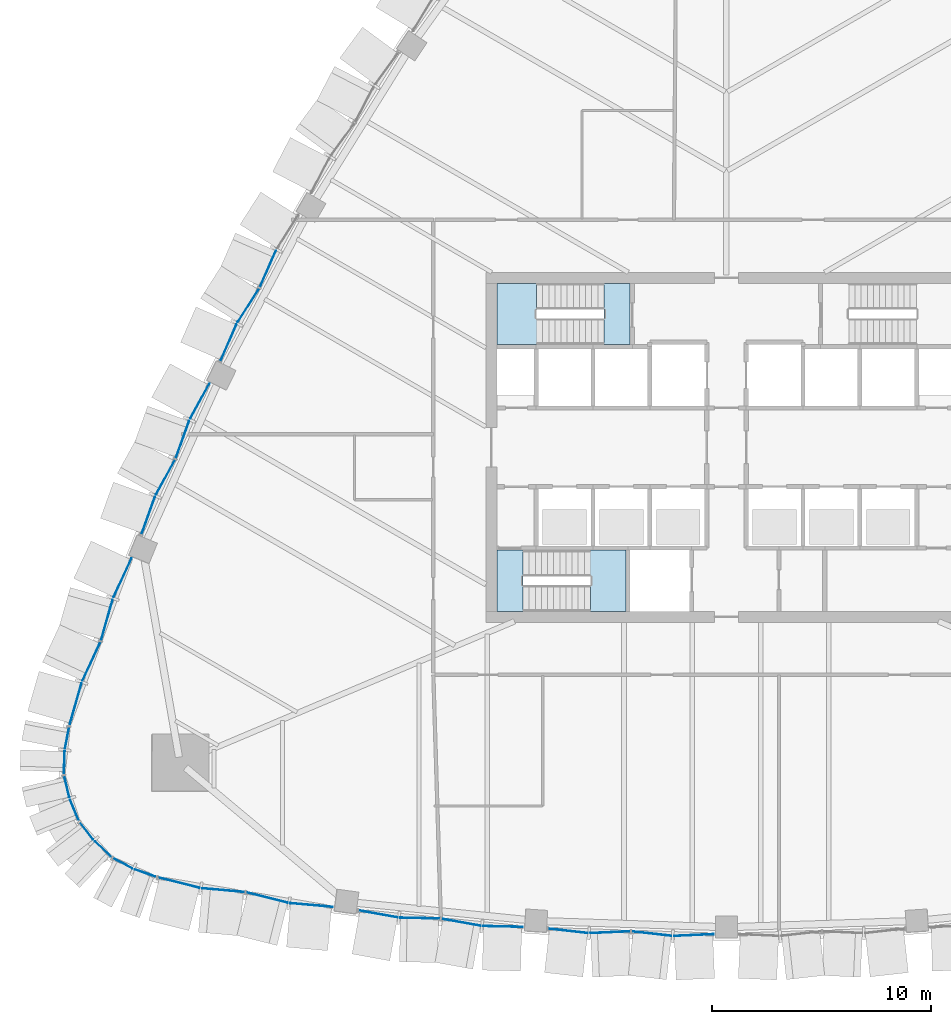
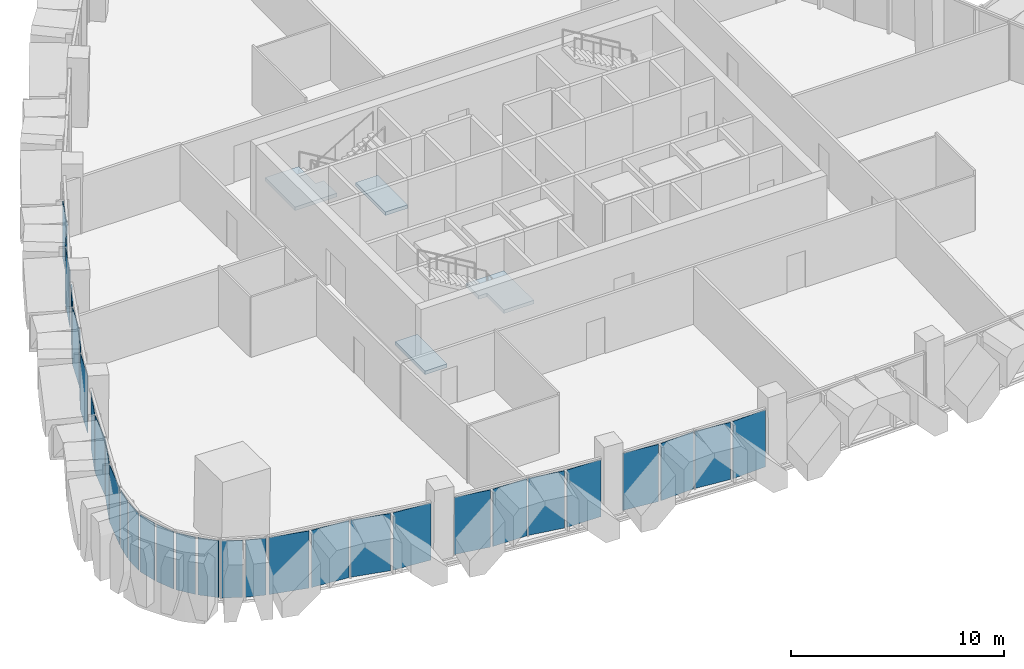
# One storey, part 8 of 18: 31 plates, 4 slabs, 12 elements without a shape of their own.
"""IFC4 building model written with IfcOpenShell, lengths in metres."""

from ifc_helpers import new_model, si_unit, direction, frame, origin, place, context, subcontext, project, spatial, polyline, outline, extrude, material, layer, layer_set, type_object, element, aggregate, save


model = new_model("IFC4")

# Units and contexts
model_context = context("Model", 3, precision=1e-05, world=origin(), true_north=direction((0.0, 1.0)))
body_context = subcontext(model_context, "Body", "Model", "MODEL_VIEW")
ifc_project = project(units=[si_unit("LENGTHUNIT", "METRE"), si_unit("AREAUNIT", "SQUARE_METRE"), si_unit("VOLUMEUNIT", "CUBIC_METRE"), si_unit("PLANEANGLEUNIT", "RADIAN"), si_unit("MASSUNIT", "GRAM", prefix="KILO")], contexts=[model_context])

# Site, building, storey
site_placement = place(None, origin())
site = spatial("IfcSite", under=ifc_project, at=site_placement, CompositionType="ELEMENT")
building_placement = place(site_placement, origin())
building = spatial("IfcBuilding", under=site, at=building_placement, Name="Sierra Prisma Convention Tower", CompositionType="ELEMENT")
storey_placement = place(building_placement, frame((0.0, 0.0, 129.800048828125)))
storey = spatial("IfcBuildingStorey", under=building, at=storey_placement, Name="L27", CompositionType="ELEMENT", Elevation=129.800048828125)

# Curtain wall, plates
ifc_material_1 = material(Name="Aluminium and glass curtain wall", Category="aluminium")
ifc_layer_1 = layer(ifc_material_1, 0.179931640625)
ifc_layer_set_1 = layer_set([ifc_layer_1], Name="CW-2 Faceted crystal curtain wall")
curtain_wall_type = type_object("IfcCurtainWallType", Name="CW-2 Faceted crystal curtain wall", PredefinedType="NOTDEFINED", material=ifc_layer_set_1)
curtain_wall_1_placement = place(storey_placement, origin())
curtain_wall_1 = element("IfcCurtainWall", 1, at=curtain_wall_1_placement, inside=storey, type_object=curtain_wall_type, Name="CW-2 S1 L27", PredefinedType="NOTDEFINED")
ifc_material_2 = material(Name="Tinted glass bronze-grey IGU", Category="glass")
ifc_layer_2 = layer(ifc_material_2, 0.028076171875)
ifc_layer_set_2 = layer_set([ifc_layer_2], Name="CW-2 crystal pane")
plate_type = type_object("IfcPlateType", Name="CW-2 crystal pane", PredefinedType="CURTAIN_PANEL", material=ifc_layer_set_2)
plate_1_placement = place(storey_placement, frame((-25.98095703125, -19.67822265625, 0.0), z_axis=(-0.243419856651, -0.969921013994, 0.0), x_axis=(0.969921013994, -0.243419856651, 0.0)))
plate_1 = element("IfcPlate", 2, at=plate_1_placement, type_object=plate_type, Name="CW-2 pane S1.1.1", PredefinedType="CURTAIN_PANEL", context=body_context, shape_type="SweptSolid", body=[
    extrude(outline(polyline([(0.0, 0.0), (1.948753240189908, 0.0), (1.948753240189908, 3.280029296875), (0.0, 3.280029296875), (0.0, 0.0)])), origin(), (0.0, 0.0, -1.0), 0.028076171875),
])
plate_2_placement = place(storey_placement, frame((-22.021728515625, -20.346923828125, 0.0), z_axis=(-0.088694464455, -0.996058879773, 0.0), x_axis=(-0.996058879773, 0.088694464455, 0.0)))
plate_2 = element("IfcPlate", 3, at=plate_2_placement, type_object=plate_type, Name="CW-2 pane S1.1.2", PredefinedType="CURTAIN_PANEL", context=body_context, shape_type="SweptSolid", body=[
    extrude(outline(polyline([(0.0, 0.0), (1.9488427328883906, 0.0), (1.9488427328883906, -3.280029296875001), (0.0, -3.280029296875001), (0.0, 0.0)])), origin(), (0.0, 0.0, -1.0), 0.028076171875),
])
plate_3_placement = place(storey_placement, frame((-21.952880859375, -20.3583984375, 0.0), z_axis=(-0.24339028167, -0.969928435911, 0.0), x_axis=(0.969928435911, -0.24339028167, 0.0)))
plate_3 = element("IfcPlate", 4, at=plate_3_placement, type_object=plate_type, Name="CW-2 pane S1.2.1", PredefinedType="CURTAIN_PANEL", context=body_context, shape_type="SweptSolid", body=[
    extrude(outline(polyline([(0.0, 0.0), (1.9489900382185157, 0.0), (1.9489900382185157, 3.280029296875), (0.0, 3.280029296875), (0.0, 0.0)])), origin(), (0.0, 0.0, -1.0), 0.028076171875),
])
plate_4_placement = place(storey_placement, frame((-17.99365234375, -21.027099609375, 0.0), z_axis=(-0.088694464455, -0.996058879773, 0.0), x_axis=(-0.996058879773, 0.088694464455, 0.0)))
plate_4 = element("IfcPlate", 5, at=plate_4_placement, type_object=plate_type, Name="CW-2 pane S1.2.2", PredefinedType="CURTAIN_PANEL", context=body_context, shape_type="SweptSolid", body=[
    extrude(outline(polyline([(0.0, 0.0), (1.9488427328883906, 0.0), (1.9488427328883906, -3.280029296875001), (0.0, -3.280029296875001), (0.0, 0.0)])), origin(), (0.0, 0.0, -1.0), 0.028076171875),
])
aggregate(curtain_wall_1, [plate_1, plate_2, plate_3, plate_4])

curtain_wall_2_placement = place(storey_placement, origin())
curtain_wall_2 = element("IfcCurtainWall", 6, at=curtain_wall_2_placement, inside=storey, type_object=curtain_wall_type, Name="CW-2 S2 L27", PredefinedType="NOTDEFINED")
plate_5_placement = place(storey_placement, frame((-16.81982421875, -21.18359375, 0.0), z_axis=(-0.177841997897, -0.984059055029, 0.0), x_axis=(0.984059055029, -0.177841997897, 0.0)))
plate_5 = element("IfcPlate", 7, at=plate_5_placement, type_object=plate_type, Name="CW-2 pane S2.1.1", PredefinedType="CURTAIN_PANEL", context=body_context, shape_type="SweptSolid", body=[
    extrude(outline(polyline([(0.0, 0.0), (1.8120895447152734, 0.0), (1.8120895447152734, 3.280029296875), (0.0, 3.280029296875), (0.0, 0.0)])), origin(), (0.0, 0.0, -1.0), 0.028076171875),
])
plate_6_placement = place(storey_placement, frame((-13.095947265625, -21.55859375, 0.0), z_axis=(-0.021824742425, -0.999761811942, 0.0), x_axis=(-0.999761811942, 0.021824742425, 0.0)))
plate_6 = element("IfcPlate", 8, at=plate_6_placement, type_object=plate_type, Name="CW-2 pane S2.1.2", PredefinedType="CURTAIN_PANEL", context=body_context, shape_type="SweptSolid", body=[
    extrude(outline(polyline([(0.0, 0.0), (1.8121992223379895, 0.0), (1.8121992223379895, -3.280029296875001), (0.0, -3.280029296875001), (0.0, 0.0)])), origin(), (0.0, 0.0, -1.0), 0.028076171875),
])
plate_7_placement = place(storey_placement, frame((-13.0263671875, -21.5654296875, 0.0), z_axis=(-0.177972460821, -0.984035468461, 0.0), x_axis=(0.984035468461, -0.177972460821, 0.0)))
plate_7 = element("IfcPlate", 9, at=plate_7_placement, type_object=plate_type, Name="CW-2 pane S2.2.1", PredefinedType="CURTAIN_PANEL", context=body_context, shape_type="SweptSolid", body=[
    extrude(outline(polyline([(0.0, 0.0), (1.8121329790976317, 0.0), (1.8121329790976317, 3.280029296875001), (0.0, 3.280029296875001), (0.0, 0.0)])), origin(), (0.0, 0.0, -1.0), 0.028076171875),
])
plate_8_placement = place(storey_placement, frame((-9.302490234375, -21.9404296875, 0.0), z_axis=(-0.021824742425, -0.999761811942, 0.0), x_axis=(-0.999761811942, 0.021824742425, 0.0)))
plate_8 = element("IfcPlate", 10, at=plate_8_placement, type_object=plate_type, Name="CW-2 pane S2.2.2", PredefinedType="CURTAIN_PANEL", context=body_context, shape_type="SweptSolid", body=[
    extrude(outline(polyline([(0.0, 0.0), (1.8121992223379895, 0.0), (1.8121992223379895, -3.280029296875001), (0.0, -3.280029296875001), (0.0, 0.0)])), origin(), (0.0, 0.0, -1.0), 0.028076171875),
])
aggregate(curtain_wall_2, [plate_5, plate_6, plate_7, plate_8])

curtain_wall_3_placement = place(storey_placement, origin())
curtain_wall_3 = element("IfcCurtainWall", 11, at=curtain_wall_3_placement, inside=storey, type_object=curtain_wall_type, Name="CW-2 S3 L27", PredefinedType="NOTDEFINED")
plate_9_placement = place(storey_placement, frame((-8.153076171875, -22.01708984375, 0.0), z_axis=(-0.111726892384, -0.993738950388, 0.0), x_axis=(0.993738950388, -0.111726892384, 0.0)))
plate_9 = element("IfcPlate", 12, at=plate_9_placement, type_object=plate_type, Name="CW-2 pane S3.1.1", PredefinedType="CURTAIN_PANEL", context=body_context, shape_type="SweptSolid", body=[
    extrude(outline(polyline([(0.0, 0.0), (1.8202344689405403, 0.0), (1.8202344689405403, 3.280029296875001), (0.0, 3.280029296875001), (0.0, 0.0)])), origin(), (0.0, 0.0, -1.0), 0.028076171875),
])
plate_10_placement = place(storey_placement, frame((-4.396240234375, -22.142822265625, 0.0), z_axis=(0.045066945971, -0.998983969031, 0.0), x_axis=(-0.998983969031, -0.045066945971, 0.0)))
plate_10 = element("IfcPlate", 13, at=plate_10_placement, type_object=plate_type, Name="CW-2 pane S3.1.2", PredefinedType="CURTAIN_PANEL", context=body_context, shape_type="SweptSolid", body=[
    extrude(outline(polyline([(0.0, 0.0), (1.8202087634738366, 0.0), (1.8202087634738366, -3.280029296875), (0.0, -3.280029296875), (0.0, 0.0)])), origin(), (0.0, 0.0, -1.0), 0.028076171875),
])
plate_11_placement = place(storey_placement, frame((-4.326416015625, -22.145263671875, 0.0), z_axis=(-0.111726892384, -0.993738950388, 0.0), x_axis=(0.993738950388, -0.111726892384, 0.0)))
plate_11 = element("IfcPlate", 14, at=plate_11_placement, type_object=plate_type, Name="CW-2 pane S3.2.1", PredefinedType="CURTAIN_PANEL", context=body_context, shape_type="SweptSolid", body=[
    extrude(outline(polyline([(0.0, 0.0), (1.8202344689405403, 0.0), (1.8202344689405403, 3.280029296875001), (0.0, 3.280029296875001), (0.0, 0.0)])), origin(), (0.0, 0.0, -1.0), 0.028076171875),
])
plate_12_placement = place(storey_placement, frame((-0.569580078125, -22.27099609375, 0.0), z_axis=(0.045066945971, -0.998983969031, 0.0), x_axis=(-0.998983969031, -0.045066945971, 0.0)))
plate_12 = element("IfcPlate", 15, at=plate_12_placement, type_object=plate_type, Name="CW-2 pane S3.2.2", PredefinedType="CURTAIN_PANEL", context=body_context, shape_type="SweptSolid", body=[
    extrude(outline(polyline([(0.0, 0.0), (1.8202087634738366, 0.0), (1.8202087634738366, -3.280029296875), (0.0, -3.280029296875), (0.0, 0.0)])), origin(), (0.0, 0.0, -1.0), 0.028076171875),
])
aggregate(curtain_wall_3, [plate_9, plate_10, plate_11, plate_12])

curtain_wall_4_placement = place(storey_placement, origin())
curtain_wall_4 = element("IfcCurtainWall", 16, at=curtain_wall_4_placement, inside=storey, type_object=curtain_wall_type, Name="CW-2 NW4 L27", PredefinedType="NOTDEFINED")
plate_13_placement = place(storey_placement, frame((-21.341552734375, 7.325927734375, 0.0), z_axis=(-0.916474110273, 0.400093995455, 0.0), x_axis=(0.400093995455, 0.916474110273, 0.0)))
plate_13 = element("IfcPlate", 17, at=plate_13_placement, type_object=plate_type, Name="CW-2 pane NW4.1.2", PredefinedType="CURTAIN_PANEL", context=body_context, shape_type="SweptSolid", body=[
    extrude(outline(polyline([(0.0, 0.0), (1.8202509726411862, 0.0), (1.8202509726411862, -3.280029296875001), (0.0, -3.280029296875001), (0.0, 0.0)])), origin(), (0.0, 0.0, -1.0), 0.028076171875),
])
plate_14_placement = place(storey_placement, frame((-21.37451171875, 7.26416015625, 0.0), z_axis=(-0.842604965771, 0.538532145427, 0.0), x_axis=(-0.538532145427, -0.842604965771, 0.0)))
plate_14 = element("IfcPlate", 18, at=plate_14_placement, type_object=plate_type, Name="CW-2 pane NW4.2.1", PredefinedType="CURTAIN_PANEL", context=body_context, shape_type="SweptSolid", body=[
    extrude(outline(polyline([(0.0, 0.0), (1.8201784567534784, 0.0), (1.8201784567534784, 3.280029296875001), (0.0, 3.280029296875001), (0.0, 0.0)])), origin(), (0.0, 0.0, -1.0), 0.028076171875),
])
plate_15_placement = place(storey_placement, frame((-23.143798828125, 3.94775390625, 0.0), z_axis=(-0.916523286269, 0.399981331722, 0.0), x_axis=(0.399981331722, 0.916523286269, 0.0)))
plate_15 = element("IfcPlate", 19, at=plate_15_placement, type_object=plate_type, Name="CW-2 pane NW4.2.2", PredefinedType="CURTAIN_PANEL", context=body_context, shape_type="SweptSolid", body=[
    extrude(outline(polyline([(0.0, 0.0), (1.8201533071956053, 0.0), (1.8201533071956053, -3.280029296875), (0.0, -3.280029296875), (0.0, 0.0)])), origin(), (0.0, 0.0, -1.0), 0.028076171875),
])
aggregate(curtain_wall_4, [plate_13, plate_14, plate_15])

curtain_wall_5_placement = place(storey_placement, origin())
curtain_wall_5 = element("IfcCurtainWall", 20, at=curtain_wall_5_placement, inside=storey, type_object=curtain_wall_type, Name="CW-2 NW5 L27", PredefinedType="NOTDEFINED")
plate_16_placement = place(storey_placement, frame((-23.65234375, 2.9140625, 0.0), z_axis=(-0.876750107329, 0.480946202084, 0.0), x_axis=(-0.480946202084, -0.876750107329, 0.0)))
plate_16 = element("IfcPlate", 21, at=plate_16_placement, type_object=plate_type, Name="CW-2 pane NW5.1.1", PredefinedType="CURTAIN_PANEL", context=body_context, shape_type="SweptSolid", body=[
    extrude(outline(polyline([(0.0, 0.0), (1.8122235449061013, 0.0), (1.8122235449061013, 3.280029296875), (0.0, 3.280029296875), (0.0, 0.0)])), origin(), (0.0, 0.0, -1.0), 0.028076171875),
])
plate_17_placement = place(storey_placement, frame((-25.189453125, -0.498291015625, 0.0), z_axis=(-0.941170498038, 0.337932084335, 0.0), x_axis=(0.337932084335, 0.941170498038, 0.0)))
plate_17 = element("IfcPlate", 22, at=plate_17_placement, type_object=plate_type, Name="CW-2 pane NW5.1.2", PredefinedType="CURTAIN_PANEL", context=body_context, shape_type="SweptSolid", body=[
    extrude(outline(polyline([(0.0, 0.0), (1.8119164053484522, 0.0), (1.8119164053484522, -3.280029296875001), (0.0, -3.280029296875001), (0.0, 0.0)])), origin(), (0.0, 0.0, -1.0), 0.028076171875),
])
plate_18_placement = place(storey_placement, frame((-25.21826171875, -0.562255859375, 0.0), z_axis=(-0.876718940097, 0.481003014622, 0.0), x_axis=(-0.481003014622, -0.876718940097, 0.0)))
plate_18 = element("IfcPlate", 23, at=plate_18_placement, type_object=plate_type, Name="CW-2 pane NW5.2.1", PredefinedType="CURTAIN_PANEL", context=body_context, shape_type="SweptSolid", body=[
    extrude(outline(polyline([(0.0, 0.0), (1.8120094983912984, 0.0), (1.8120094983912984, 3.280029296875), (0.0, 3.280029296875), (0.0, 0.0)])), origin(), (0.0, 0.0, -1.0), 0.028076171875),
])
plate_19_placement = place(storey_placement, frame((-26.75537109375, -3.974609375, 0.0), z_axis=(-0.941185882352, 0.337889234603, 0.0), x_axis=(0.337889234603, 0.941185882352, 0.0)))
plate_19 = element("IfcPlate", 24, at=plate_19_placement, type_object=plate_type, Name="CW-2 pane NW5.2.2", PredefinedType="CURTAIN_PANEL", context=body_context, shape_type="SweptSolid", body=[
    extrude(outline(polyline([(0.0, 0.0), (1.8121461851801617, 0.0), (1.8121461851801617, -3.280029296875001), (0.0, -3.280029296875001), (0.0, 0.0)])), origin(), (0.0, 0.0, -1.0), 0.028076171875),
])
aggregate(curtain_wall_5, [plate_16, plate_17, plate_18, plate_19])

curtain_wall_6_placement = place(storey_placement, origin())
curtain_wall_6 = element("IfcCurtainWall", 25, at=curtain_wall_6_placement, inside=storey, type_object=curtain_wall_type, Name="CW-2 NW6 L27", PredefinedType="NOTDEFINED")
plate_20_placement = place(storey_placement, frame((-27.206787109375, -5.069580078125, 0.0), z_axis=(-0.906911531662, 0.42132110526, 0.0), x_axis=(-0.42132110526, -0.906911531662, 0.0)))
plate_20 = element("IfcPlate", 26, at=plate_20_placement, type_object=plate_type, Name="CW-2 pane NW6.1.1", PredefinedType="CURTAIN_PANEL", context=body_context, shape_type="SweptSolid", body=[
    extrude(outline(polyline([(0.0, 0.0), (1.948739124681274, 0.0), (1.948739124681274, 3.280029296875), (0.0, 3.280029296875), (0.0, 0.0)])), origin(), (0.0, 0.0, -1.0), 0.028076171875),
])
plate_21_placement = place(storey_placement, frame((-28.607421875, -8.83251953125, 0.0), z_axis=(-0.961660928434, 0.274241241837, 0.0), x_axis=(0.274241241837, 0.961660928434, 0.0)))
plate_21 = element("IfcPlate", 27, at=plate_21_placement, type_object=plate_type, Name="CW-2 pane NW6.1.2", PredefinedType="CURTAIN_PANEL", context=body_context, shape_type="SweptSolid", body=[
    extrude(outline(polyline([(0.0, 0.0), (1.9487361731047885, 0.0), (1.9487361731047885, -3.280029296875), (0.0, -3.280029296875), (0.0, 0.0)])), origin(), (0.0, 0.0, -1.0), 0.028076171875),
])
plate_22_placement = place(storey_placement, frame((-28.6318359375, -8.89794921875, 0.0), z_axis=(-0.906981623832, 0.421170196039, 0.0), x_axis=(-0.421170196039, -0.906981623832, 0.0)))
plate_22 = element("IfcPlate", 28, at=plate_22_placement, type_object=plate_type, Name="CW-2 pane NW6.2.1", PredefinedType="CURTAIN_PANEL", context=body_context, shape_type="SweptSolid", body=[
    extrude(outline(polyline([(0.0, 0.0), (1.9488577040099995, 0.0), (1.9488577040099995, 3.280029296875), (0.0, 3.280029296875), (0.0, 0.0)])), origin(), (0.0, 0.0, -1.0), 0.028076171875),
])
plate_23_placement = place(storey_placement, frame((-30.032470703125, -12.660888671875, 0.0), z_axis=(-0.961660928434, 0.274241241837, 0.0), x_axis=(0.274241241837, 0.961660928434, 0.0)))
plate_23 = element("IfcPlate", 29, at=plate_23_placement, type_object=plate_type, Name="CW-2 pane NW6.2.2", PredefinedType="CURTAIN_PANEL", context=body_context, shape_type="SweptSolid", body=[
    extrude(outline(polyline([(0.0, 0.0), (1.9487361731047885, 0.0), (1.9487361731047885, -3.280029296875), (0.0, -3.280029296875), (0.0, 0.0)])), origin(), (0.0, 0.0, -1.0), 0.028076171875),
])
aggregate(curtain_wall_6, [plate_20, plate_21, plate_22, plate_23])

curtain_wall_7_placement = place(storey_placement, origin())
curtain_wall_7 = element("IfcCurtainWall", 30, at=curtain_wall_7_placement, inside=storey, type_object=curtain_wall_type, Name="CW-2 SW1 L27", PredefinedType="NOTDEFINED")
plate_24_placement = place(storey_placement, frame((-30.064453125, -12.796142578125, 0.0), z_axis=(-0.982020488227, 0.188774364529, 0.0), x_axis=(-0.188774364529, -0.982020488227, 0.0)))
plate_24 = element("IfcPlate", 31, at=plate_24_placement, type_object=plate_type, Name="CW-2 pane SW1.1.1", PredefinedType="CURTAIN_PANEL", context=body_context, shape_type="SweptSolid", body=[
    extrude(outline(polyline([(0.0, 0.0), (0.9919559779339838, 0.0), (0.9919559779339838, 3.280029296875), (0.0, 3.280029296875), (0.0, 0.0)])), origin(), (0.0, 0.0, -1.0), 0.028076171875),
])
plate_25_placement = place(storey_placement, frame((-30.298583984375, -14.890625, 0.0), z_axis=(-0.999464131645, 0.032733004065, 0.0), x_axis=(0.032733004065, 0.999464131645, 0.0)))
plate_25 = element("IfcPlate", 32, at=plate_25_placement, type_object=plate_type, Name="CW-2 pane SW1.1.2", PredefinedType="CURTAIN_PANEL", context=body_context, shape_type="SweptSolid", body=[
    extrude(outline(polyline([(0.0, 0.0), (0.9919866523806063, 0.0), (0.9919866523806063, -3.280029296875), (0.0, -3.280029296875), (0.0, 0.0)])), origin(), (0.0, 0.0, -1.0), 0.028076171875),
])
aggregate(curtain_wall_7, [plate_24, plate_25])

curtain_wall_8_placement = place(storey_placement, origin())
curtain_wall_8 = element("IfcCurtainWall", 33, at=curtain_wall_8_placement, inside=storey, type_object=curtain_wall_type, Name="CW-2 SW2 L27", PredefinedType="NOTDEFINED")
plate_26_placement = place(storey_placement, frame((-30.284912109375, -15.02685546875, 0.0), z_axis=(-0.972859015303, -0.231398652425, 0.0), x_axis=(0.231398652425, -0.972859015303, 0.0)))
plate_26 = element("IfcPlate", 34, at=plate_26_placement, type_object=plate_type, Name="CW-2 pane SW2.1.1", PredefinedType="CURTAIN_PANEL", context=body_context, shape_type="SweptSolid", body=[
    extrude(outline(polyline([(0.0, 0.0), (0.9917611234756067, 0.0), (0.9917611234756067, 3.280029296875), (0.0, 3.280029296875), (0.0, 0.0)])), origin(), (0.0, 0.0, -1.0), 0.028076171875),
])
plate_27_placement = place(storey_placement, frame((-29.637939453125, -17.032470703125, 0.0), z_axis=(-0.924678098475, -0.380749805254, 0.0), x_axis=(-0.380749805254, 0.924678098475, 0.0)))
plate_27 = element("IfcPlate", 35, at=plate_27_placement, type_object=plate_type, Name="CW-2 pane SW2.1.2", PredefinedType="CURTAIN_PANEL", context=body_context, shape_type="SweptSolid", body=[
    extrude(outline(polyline([(0.0, 0.0), (0.9919520421625738, 0.0), (0.9919520421625738, -3.280029296875001), (0.0, -3.280029296875001), (0.0, 0.0)])), origin(), (0.0, 0.0, -1.0), 0.028076171875),
])
aggregate(curtain_wall_8, [plate_26, plate_27])

curtain_wall_9_placement = place(storey_placement, origin())
curtain_wall_9 = element("IfcCurtainWall", 36, at=curtain_wall_9_placement, inside=storey, type_object=curtain_wall_type, Name="CW-2 SW3 L27", PredefinedType="NOTDEFINED")
plate_28_placement = place(storey_placement, frame((-29.569580078125, -17.15087890625, 0.0), z_axis=(-0.792047375116, -0.610459626488, 0.0), x_axis=(0.610459626488, -0.792047375116, 0.0)))
plate_28 = element("IfcPlate", 37, at=plate_28_placement, type_object=plate_type, Name="CW-2 pane SW3.1.1", PredefinedType="CURTAIN_PANEL", context=body_context, shape_type="SweptSolid", body=[
    extrude(outline(polyline([(0.0, 0.0), (0.9922243246618905, 0.0), (0.9922243246618905, 3.280029296875), (0.0, 3.280029296875), (0.0, 0.0)])), origin(), (0.0, 0.0, -1.0), 0.028076171875),
])
plate_29_placement = place(storey_placement, frame((-28.156005859375, -18.714111328125, 0.0), z_axis=(-0.686890874372, -0.726760570412, 0.0), x_axis=(-0.726760570412, 0.686890874372, 0.0)))
plate_29 = element("IfcPlate", 38, at=plate_29_placement, type_object=plate_type, Name="CW-2 pane SW3.1.2", PredefinedType="CURTAIN_PANEL", context=body_context, shape_type="SweptSolid", body=[
    extrude(outline(polyline([(0.0, 0.0), (0.9920010729483986, 0.0), (0.9920010729483986, -3.280029296875), (0.0, -3.280029296875), (0.0, 0.0)])), origin(), (0.0, 0.0, -1.0), 0.028076171875),
])
aggregate(curtain_wall_9, [plate_28, plate_29])

curtain_wall_10_placement = place(storey_placement, origin())
curtain_wall_10 = element("IfcCurtainWall", 39, at=curtain_wall_10_placement, inside=storey, type_object=curtain_wall_type, Name="CW-2 SW4 L27", PredefinedType="NOTDEFINED")
plate_30_placement = place(storey_placement, frame((-28.044921875, -18.7939453125, 0.0), z_axis=(-0.471456464551, -0.881889336614, 0.0), x_axis=(0.881889336614, -0.471456464551, 0.0)))
plate_30 = element("IfcPlate", 40, at=plate_30_placement, type_object=plate_type, Name="CW-2 pane SW4.1.1", PredefinedType="CURTAIN_PANEL", context=body_context, shape_type="SweptSolid", body=[
    extrude(outline(polyline([(0.0, 0.0), (0.9921879805916651, 0.0), (0.9921879805916651, 3.280029296875), (0.0, 3.280029296875), (0.0, 0.0)])), origin(), (0.0, 0.0, -1.0), 0.028076171875),
])
plate_31_placement = place(storey_placement, frame((-26.114013671875, -19.638671875, 0.0), z_axis=(-0.327795115624, -0.944748835497, 0.0), x_axis=(-0.944748835497, 0.327795115624, 0.0)))
plate_31 = element("IfcPlate", 41, at=plate_31_placement, type_object=plate_type, Name="CW-2 pane SW4.1.2", PredefinedType="CURTAIN_PANEL", context=body_context, shape_type="SweptSolid", body=[
    extrude(outline(polyline([(0.0, 0.0), (0.9920688167686467, 0.0), (0.9920688167686467, -3.280029296875), (0.0, -3.280029296875), (0.0, 0.0)])), origin(), (0.0, 0.0, -1.0), 0.028076171875),
])
aggregate(curtain_wall_10, [plate_30, plate_31])

# Stair, slab
ifc_material_3 = material(Name="Concrete C30/37", Category="concrete")
stair_type = type_object("IfcStairType", Name="Stair dog-leg 1200 RC", PredefinedType="HALF_TURN_STAIR", material=ifc_material_3)
stair_1_placement = place(storey_placement, origin())
stair_1 = element("IfcStair", 42, at=stair_1_placement, inside=storey, type_object=stair_type, Name="L27 S1", PredefinedType="HALF_TURN_STAIR")
ifc_material_4 = material(Name="Concrete C35/45", Category="concrete")
ifc_layer_3 = layer(ifc_material_4, 0.199951171875)
ifc_layer_set_3 = layer_set([ifc_layer_3], Name="Stair landing slab")
slab_type = type_object("IfcSlabType", Name="Stair landing slab", PredefinedType="LANDING", material=ifc_layer_set_3)
slab_1_placement = place(storey_placement, frame((0.0, 0.0, 1.800048828125)))
slab_1 = element("IfcSlab", 43, at=slab_1_placement, type_object=slab_type, Name="S1 landing 1", PredefinedType="LANDING", context=body_context, shape_type="SweptSolid", body=[
    extrude(outline(polyline([(-4.60009765625, -4.699951171875), (-4.60009765625, -7.5), (-6.221923828125, -7.5), (-6.221923828125, -5.89990234375), (-6.669921875, -5.89990234375), (-6.669921875, -4.699951171875), (-4.60009765625, -4.699951171875)])), origin(), (0.0, 0.0, 1.0), 0.199951171875),
])
aggregate(stair_1, [slab_1])

# Slab
slab_2_placement = place(storey_placement, frame((0.0, 0.0, -0.199951171875)))
element("IfcSlab", 44, at=slab_2_placement, inside=storey, type_object=slab_type, Name="S1 floor landing L27", PredefinedType="LANDING", context=body_context, shape_type="SweptSolid", body=[
    extrude(outline(polyline([(-10.5, -7.5), (-9.298095703125, -7.5), (-9.298095703125, -4.699951171875), (-10.5, -4.699951171875), (-10.5, -7.5)])), origin(), (0.0, 0.0, 1.0), 0.199951171875),
])

# Stair, slab
stair_2_placement = place(storey_placement, origin())
stair_2 = element("IfcStair", 45, at=stair_2_placement, inside=storey, type_object=stair_type, Name="L27 S3", PredefinedType="HALF_TURN_STAIR")
slab_3_placement = place(storey_placement, frame((0.0, 0.0, 1.800048828125)))
slab_3 = element("IfcSlab", 46, at=slab_3_placement, type_object=slab_type, Name="S3 landing 1", PredefinedType="LANDING", context=body_context, shape_type="SweptSolid", body=[
    extrude(outline(polyline([(-8.22998046875, 5.89990234375), (-8.22998046875, 4.699951171875), (-10.5, 4.699951171875), (-10.5, 7.5), (-8.677978515625, 7.5), (-8.677978515625, 5.89990234375), (-8.22998046875, 5.89990234375)])), origin(), (0.0, 0.0, 1.0), 0.199951171875),
])
aggregate(stair_2, [slab_3])

# Slab
slab_4_placement = place(storey_placement, frame((0.0, 0.0, -0.199951171875)))
element("IfcSlab", 47, at=slab_4_placement, inside=storey, type_object=slab_type, Name="S3 floor landing L27", PredefinedType="LANDING", context=body_context, shape_type="SweptSolid", body=[
    extrude(outline(polyline([(-4.39990234375, 7.5), (-5.60205078125, 7.5), (-5.60205078125, 4.699951171875), (-4.39990234375, 4.699951171875), (-4.39990234375, 7.5)])), origin(), (0.0, 0.0, 1.0), 0.199951171875),
])

save(model, "model.ifc")
